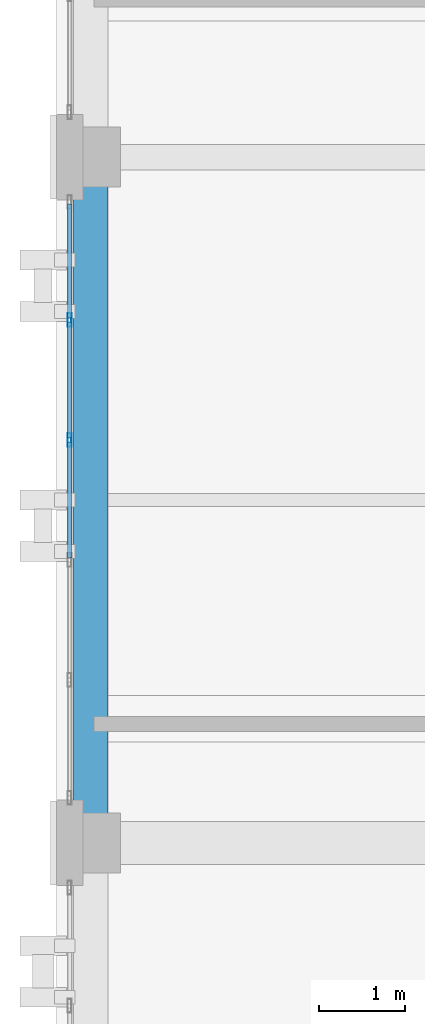
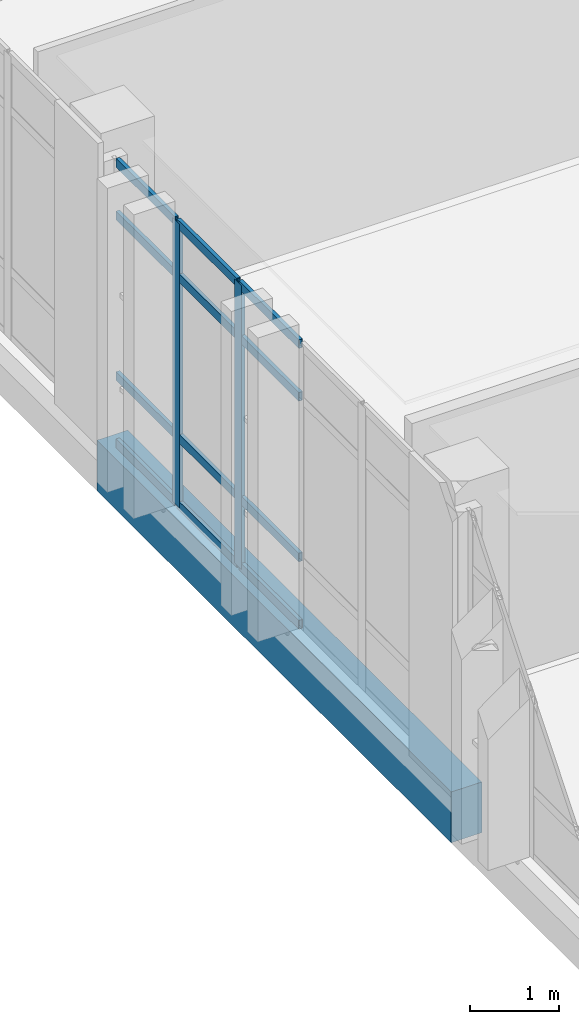
# One storey, part 29 of 193: 14 members, 1 beam, 1 element without a shape of its own.
"""IFC4 building model written with IfcOpenShell, lengths in metres."""

from ifc_helpers import new_model, si_unit, direction, frame, origin, origin_2d, place, context, subcontext, project, spatial, rectangle, hollow_rectangle, extrude, material, layer, layer_set, material_profile, profile_set, type_object, element, aggregate, save


model = new_model("IFC4")

# Units and contexts
model_context = context("Model", 3, precision=1e-05, world=origin(), true_north=direction((0.0, 1.0)))
body_context = subcontext(model_context, "Body", "Model", "MODEL_VIEW")
ifc_project = project(units=[si_unit("LENGTHUNIT", "METRE"), si_unit("AREAUNIT", "SQUARE_METRE"), si_unit("VOLUMEUNIT", "CUBIC_METRE"), si_unit("PLANEANGLEUNIT", "RADIAN"), si_unit("MASSUNIT", "GRAM", prefix="KILO")], contexts=[model_context])

# Site, building, storey
site_placement = place(None, origin())
site = spatial("IfcSite", under=ifc_project, at=site_placement, CompositionType="ELEMENT")
building_placement = place(site_placement, origin())
building = spatial("IfcBuilding", under=site, at=building_placement, Name="Qalavern Law Courts", CompositionType="ELEMENT")
storey_placement = place(building_placement, frame((0.0, 0.0, 10.199951171875)))
storey = spatial("IfcBuildingStorey", under=building, at=storey_placement, Name="L02", CompositionType="ELEMENT", Elevation=10.199951171875)

# Curtain wall, members
ifc_material_1 = material(Name="Anodised aluminium and insulated glazing", Category="aluminium")
ifc_layer = layer(ifc_material_1, 0.172119140625)
ifc_layer_set = layer_set([ifc_layer], Name="Anodised aluminium and insulated glazing")
curtain_wall_type = type_object("IfcCurtainWallType", Name="ENV-CW-COURT", PredefinedType="USERDEFINED", material=ifc_layer_set)
curtain_wall_placement = place(storey_placement, origin())
curtain_wall = element("IfcCurtainWall", 1, at=curtain_wall_placement, inside=storey, type_object=curtain_wall_type, Name="V3 unitised curtain wall L02 west 5", ObjectType="UNITISED CURTAIN WALL", PredefinedType="USERDEFINED")
ifc_material_2 = material(Name="Anodised aluminium", Category="aluminium")
ifc_material_profile_1 = material_profile(ifc_material_2, hollow_rectangle(XDim=0.048095703125, YDim=0.159912109375, WallThickness=0.00390625, at=origin_2d()), Name="ALU MULLION 48x160")
ifc_profile_set_1 = profile_set([ifc_material_profile_1], Name="Anodised aluminium")
member_type_1 = type_object("IfcMemberType", Name="ENV-CWM-48x160", PredefinedType="MULLION", material=ifc_profile_set_1)
member_1_placement = place(storey_placement, frame((2.155029296875, 63.5, 0.0), z_axis=(0.0, 0.0, 1.0), x_axis=(1.0, 0.0, 0.0)))
member_1 = element("IfcMember", 2, at=member_1_placement, type_object=member_type_1, Name="CW-03 mullion 2", PredefinedType="MULLION", context=body_context, shape_type="SweptSolid", body=[
    extrude(hollow_rectangle(XDim=0.048095703125, YDim=0.159912109375, WallThickness=0.00390625, at=origin_2d()), origin(), (0.0, 0.0, 1.0), 3.9150390625),
])
member_2_placement = place(storey_placement, frame((2.155029296875, 62.10009765625, 0.0), z_axis=(0.0, 0.0, 1.0), x_axis=(1.0, 0.0, 0.0)))
member_2 = element("IfcMember", 3, at=member_2_placement, type_object=member_type_1, Name="CW-03 mullion 3", PredefinedType="MULLION", context=body_context, shape_type="SweptSolid", body=[
    extrude(hollow_rectangle(XDim=0.048095703125, YDim=0.159912109375, WallThickness=0.00390625, at=origin_2d()), origin(), (0.0, 0.0, 1.0), 3.9150390625),
])
ifc_material_profile_2 = material_profile(ifc_material_2, hollow_rectangle(XDim=0.048095703125, YDim=0.1201171875, WallThickness=0.00390625, at=origin_2d()), Name="ALU TRANSOM 48x120")
ifc_profile_set_2 = profile_set([ifc_material_profile_2], Name="Anodised aluminium")
member_type_2 = type_object("IfcMemberType", Name="ENV-CWT-48x120", PredefinedType="USERDEFINED", material=ifc_profile_set_2)
member_3_placement = place(storey_placement, frame((2.155029296875, 64.85205078125, 0.024169921875), z_axis=(0.0, -1.0, 0.0), x_axis=(1.0, 0.0, 0.0)))
member_3 = element("IfcMember", 4, at=member_3_placement, type_object=member_type_2, Name="CW-03 transom 1.1", ObjectType="TRANSOM", PredefinedType="USERDEFINED", context=body_context, shape_type="SweptSolid", body=[
    extrude(hollow_rectangle(XDim=0.048095703125, YDim=0.1201171875, WallThickness=0.00390625, at=origin_2d()), origin(), (0.0, 0.0, 1.0), 1.328125),
])
member_4_placement = place(storey_placement, frame((2.155029296875, 64.85205078125, 0.949951171875), z_axis=(0.0, -1.0, 0.0), x_axis=(1.0, 0.0, 0.0)))
member_4 = element("IfcMember", 5, at=member_4_placement, type_object=member_type_2, Name="CW-03 transom 1.2", ObjectType="TRANSOM", PredefinedType="USERDEFINED", context=body_context, shape_type="SweptSolid", body=[
    extrude(hollow_rectangle(XDim=0.048095703125, YDim=0.1201171875, WallThickness=0.00390625, at=origin_2d()), origin(), (0.0, 0.0, 1.0), 1.328125),
])
member_5_placement = place(storey_placement, frame((2.155029296875, 64.85205078125, 3.1650390625), z_axis=(0.0, -1.0, 0.0), x_axis=(1.0, 0.0, 0.0)))
member_5 = element("IfcMember", 6, at=member_5_placement, type_object=member_type_2, Name="CW-03 transom 1.3", ObjectType="TRANSOM", PredefinedType="USERDEFINED", context=body_context, shape_type="SweptSolid", body=[
    extrude(hollow_rectangle(XDim=0.048095703125, YDim=0.1201171875, WallThickness=0.00390625, at=origin_2d()), origin(), (0.0, 0.0, 1.0), 1.328125),
])
member_6_placement = place(storey_placement, frame((2.155029296875, 64.85205078125, 3.89111328125), z_axis=(0.0, -1.0, 0.0), x_axis=(1.0, 0.0, 0.0)))
member_6 = element("IfcMember", 7, at=member_6_placement, type_object=member_type_2, Name="CW-03 transom 1.4", ObjectType="TRANSOM", PredefinedType="USERDEFINED", context=body_context, shape_type="SweptSolid", body=[
    extrude(hollow_rectangle(XDim=0.048095703125, YDim=0.1201171875, WallThickness=0.00390625, at=origin_2d()), origin(), (0.0, 0.0, 1.0), 1.328125),
])
member_7_placement = place(storey_placement, frame((2.155029296875, 63.47607421875, 0.024169921875), z_axis=(0.0, -1.0, 0.0), x_axis=(1.0, 0.0, 0.0)))
member_7 = element("IfcMember", 8, at=member_7_placement, type_object=member_type_2, Name="CW-03 transom 2.1", ObjectType="TRANSOM", PredefinedType="USERDEFINED", context=body_context, shape_type="SweptSolid", body=[
    extrude(hollow_rectangle(XDim=0.048095703125, YDim=0.1201171875, WallThickness=0.00390625, at=origin_2d()), origin(), (0.0, 0.0, 1.0), 1.35205078125),
])
member_8_placement = place(storey_placement, frame((2.155029296875, 63.47607421875, 0.949951171875), z_axis=(0.0, -1.0, 0.0), x_axis=(1.0, 0.0, 0.0)))
member_8 = element("IfcMember", 9, at=member_8_placement, type_object=member_type_2, Name="CW-03 transom 2.2", ObjectType="TRANSOM", PredefinedType="USERDEFINED", context=body_context, shape_type="SweptSolid", body=[
    extrude(hollow_rectangle(XDim=0.048095703125, YDim=0.1201171875, WallThickness=0.00390625, at=origin_2d()), origin(), (0.0, 0.0, 1.0), 1.35205078125),
])
member_9_placement = place(storey_placement, frame((2.155029296875, 63.47607421875, 3.1650390625), z_axis=(0.0, -1.0, 0.0), x_axis=(1.0, 0.0, 0.0)))
member_9 = element("IfcMember", 10, at=member_9_placement, type_object=member_type_2, Name="CW-03 transom 2.3", ObjectType="TRANSOM", PredefinedType="USERDEFINED", context=body_context, shape_type="SweptSolid", body=[
    extrude(hollow_rectangle(XDim=0.048095703125, YDim=0.1201171875, WallThickness=0.00390625, at=origin_2d()), origin(), (0.0, 0.0, 1.0), 1.35205078125),
])
member_10_placement = place(storey_placement, frame((2.155029296875, 63.47607421875, 3.89111328125), z_axis=(0.0, -1.0, 0.0), x_axis=(1.0, 0.0, 0.0)))
member_10 = element("IfcMember", 11, at=member_10_placement, type_object=member_type_2, Name="CW-03 transom 2.4", ObjectType="TRANSOM", PredefinedType="USERDEFINED", context=body_context, shape_type="SweptSolid", body=[
    extrude(hollow_rectangle(XDim=0.048095703125, YDim=0.1201171875, WallThickness=0.00390625, at=origin_2d()), origin(), (0.0, 0.0, 1.0), 1.35205078125),
])
member_11_placement = place(storey_placement, frame((2.155029296875, 62.075927734375, 0.024169921875), z_axis=(0.0, -1.0, 0.0), x_axis=(1.0, 0.0, 0.0)))
member_11 = element("IfcMember", 12, at=member_11_placement, type_object=member_type_2, Name="CW-03 transom 3.1", ObjectType="TRANSOM", PredefinedType="USERDEFINED", context=body_context, shape_type="SweptSolid", body=[
    extrude(hollow_rectangle(XDim=0.048095703125, YDim=0.1201171875, WallThickness=0.00390625, at=origin_2d()), origin(), (0.0, 0.0, 1.0), 1.351806640625),
])
member_12_placement = place(storey_placement, frame((2.155029296875, 62.075927734375, 0.949951171875), z_axis=(0.0, -1.0, 0.0), x_axis=(1.0, 0.0, 0.0)))
member_12 = element("IfcMember", 13, at=member_12_placement, type_object=member_type_2, Name="CW-03 transom 3.2", ObjectType="TRANSOM", PredefinedType="USERDEFINED", context=body_context, shape_type="SweptSolid", body=[
    extrude(hollow_rectangle(XDim=0.048095703125, YDim=0.1201171875, WallThickness=0.00390625, at=origin_2d()), origin(), (0.0, 0.0, 1.0), 1.351806640625),
])
member_13_placement = place(storey_placement, frame((2.155029296875, 62.075927734375, 3.1650390625), z_axis=(0.0, -1.0, 0.0), x_axis=(1.0, 0.0, 0.0)))
member_13 = element("IfcMember", 14, at=member_13_placement, type_object=member_type_2, Name="CW-03 transom 3.3", ObjectType="TRANSOM", PredefinedType="USERDEFINED", context=body_context, shape_type="SweptSolid", body=[
    extrude(hollow_rectangle(XDim=0.048095703125, YDim=0.1201171875, WallThickness=0.00390625, at=origin_2d()), origin(), (0.0, 0.0, 1.0), 1.351806640625),
])
member_14_placement = place(storey_placement, frame((2.155029296875, 62.075927734375, 3.89111328125), z_axis=(0.0, -1.0, 0.0), x_axis=(1.0, 0.0, 0.0)))
member_14 = element("IfcMember", 15, at=member_14_placement, type_object=member_type_2, Name="CW-03 transom 3.4", ObjectType="TRANSOM", PredefinedType="USERDEFINED", context=body_context, shape_type="SweptSolid", body=[
    extrude(hollow_rectangle(XDim=0.048095703125, YDim=0.1201171875, WallThickness=0.00390625, at=origin_2d()), origin(), (0.0, 0.0, 1.0), 1.351806640625),
])
aggregate(curtain_wall, [member_1, member_2, member_3, member_4, member_5, member_6, member_7, member_8, member_9, member_10, member_11, member_12, member_13, member_14])

# Beam
ifc_material_3 = material(Name="Concrete C40/50", Category="concrete")
ifc_material_profile_3 = material_profile(ifc_material_3, rectangle(XDim=0.39990234375, YDim=0.699951171875, at=origin_2d()), Name="RC 400x700")
ifc_profile_set_3 = profile_set([ifc_material_profile_3], Name="Concrete C40/50")
beam_type = type_object("IfcBeamType", Name="STR-SP-RC400x700", PredefinedType="SPANDREL", material=ifc_profile_set_3)
beam_placement = place(storey_placement, frame((2.39990234375, 57.39990234375, -0.639892578125), z_axis=(0.0, 1.0, 0.0), x_axis=(-1.0, 0.0, 0.0)))
element("IfcBeam", 16, at=beam_placement, inside=storey, type_object=beam_type, Name="V3 Y-beam 1-3 L02", PredefinedType="SPANDREL", context=body_context, shape_type="SweptSolid", body=[
    extrude(rectangle(XDim=0.39990234375, YDim=0.699951171875, at=origin_2d()), origin(), (0.0, 0.0, 1.0), 8.0),
])

save(model, "model.ifc")
